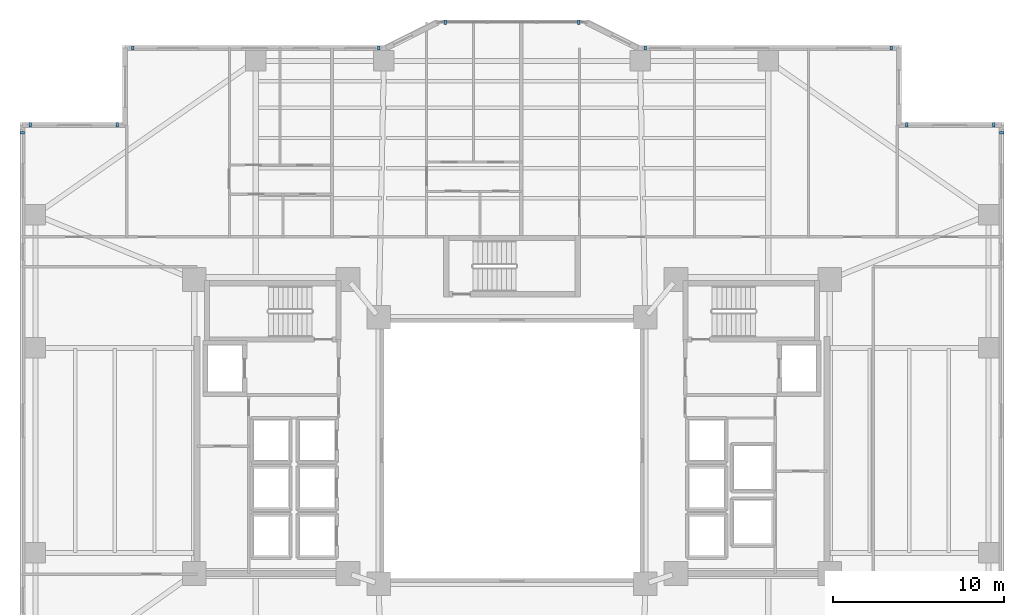
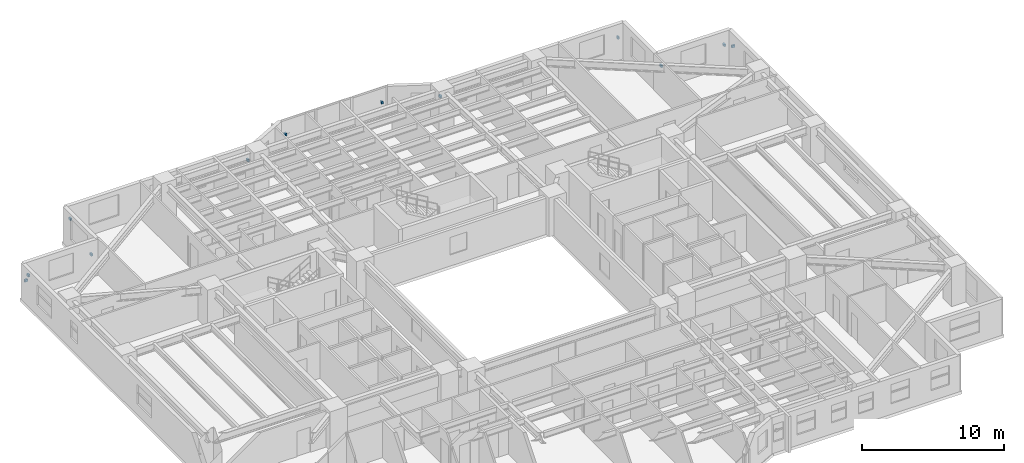
# One storey, part 18 of 21: 12 discrete accessories.
"""IFC4 building model written with IfcOpenShell, lengths in metres."""

from ifc_helpers import new_model, si_unit, direction, frame, origin, origin_2d, place, context, subcontext, project, spatial, rectangle, extrude, material, type_object, element, save


model = new_model("IFC4")

# Units and contexts
model_context = context("Model", 3, precision=1e-05, world=origin(), true_north=direction((0.0, 1.0)))
body_context = subcontext(model_context, "Body", "Model", "MODEL_VIEW")
ifc_project = project(units=[si_unit("LENGTHUNIT", "METRE"), si_unit("AREAUNIT", "SQUARE_METRE"), si_unit("VOLUMEUNIT", "CUBIC_METRE"), si_unit("PLANEANGLEUNIT", "RADIAN"), si_unit("MASSUNIT", "GRAM", prefix="KILO")], contexts=[model_context])

# Site, building, storey
site_placement = place(None, origin())
site = spatial("IfcSite", under=ifc_project, at=site_placement, CompositionType="ELEMENT")
building_placement = place(site_placement, origin())
building = spatial("IfcBuilding", under=site, at=building_placement, Name="Tarnavaz Court Tower", CompositionType="ELEMENT")
storey_placement = place(building_placement, frame((0.0, 0.0, 37.39990234375)))
storey = spatial("IfcBuildingStorey", under=building, at=storey_placement, Name="L09", CompositionType="ELEMENT", Elevation=37.39990234375)

# Discrete accessories
ifc_material = material(Name="Anodised Aluminium 6063-T6", Category="aluminium")
discrete_accessory_type = type_object("IfcDiscreteAccessoryType", Name="DA-BRKT-ALU", PredefinedType="BRACKET", material=ifc_material)
for number, where, z_axis, x_axis, name in (
    (1, (-28.669921875, 18.60009765625, 1.75), (0.0, 0.0, 1.0), (0.0, 1.0, 0.0), "L09 Baguette Outrigger Bracket FBG02-2"),
    (2, (-28.199951171875, 19.070068359375, 1.75), (0.0, 0.0, 1.0), (1.0, 0.0, 0.0), "L09 Baguette Outrigger Bracket FBG03-1"),
    (3, (-23.10009765625, 19.070068359375, 1.75), (0.0, 0.0, 1.0), (1.0, 0.0, 0.0), "L09 Baguette Outrigger Bracket FBG03-2"),
    (4, (-22.199951171875, 23.570068359375, 1.75), (0.0, 0.0, 1.0), (1.0, 0.0, 0.0), "L09 Baguette Outrigger Bracket FBG05-1"),
    (5, (-7.800048828125, 23.570068359375, 1.75), (0.0, 0.0, 1.0), (1.0, 0.0, 0.0), "L09 Baguette Outrigger Bracket FBG05-2"),
    (6, (-3.89990234375, 25.070068359375, 1.7001953125), (0.0, 0.0, 1.0), (1.0, 0.0, 0.0), "L09 Baguette Outrigger Bracket PBG7-1"),
    (7, (3.89990234375, 25.070068359375, 1.7001953125), (0.0, 0.0, 1.0), (1.0, 0.0, 0.0), "L09 Baguette Outrigger Bracket PBG7-2"),
    (8, (7.800048828125, 23.570068359375, 1.75), (0.0, 0.0, 1.0), (1.0, 0.0, 0.0), "L09 Baguette Outrigger Bracket FBG09-1"),
    (9, (22.199951171875, 23.570068359375, 1.75), (0.0, 0.0, 1.0), (1.0, 0.0, 0.0), "L09 Baguette Outrigger Bracket FBG09-2"),
    (10, (23.10009765625, 19.070068359375, 1.75), (0.0, 0.0, 1.0), (1.0, 0.0, 0.0), "L09 Baguette Outrigger Bracket FBG11-1"),
    (11, (28.199951171875, 19.070068359375, 1.75), (0.0, 0.0, 1.0), (1.0, 0.0, 0.0), "L09 Baguette Outrigger Bracket FBG11-2"),
    (12, (28.669921875, 18.60009765625, 1.75), (0.0, 0.0, 1.0), (0.0, -1.0, 0.0), "L09 Baguette Outrigger Bracket FBG12-1"),
):
    element("IfcDiscreteAccessory", number, at=place(storey_placement, frame(where, z_axis=z_axis, x_axis=x_axis)), inside=storey, type_object=discrete_accessory_type, Name=name, PredefinedType="BRACKET", context=body_context, shape_type="SweptSolid", body=[
        extrude(rectangle(XDim=0.139892578125, YDim=0.239990234375, at=origin_2d()), origin(), (0.0, 0.0, 1.0), 0.199951171875),
    ])

save(model, "model.ifc")
